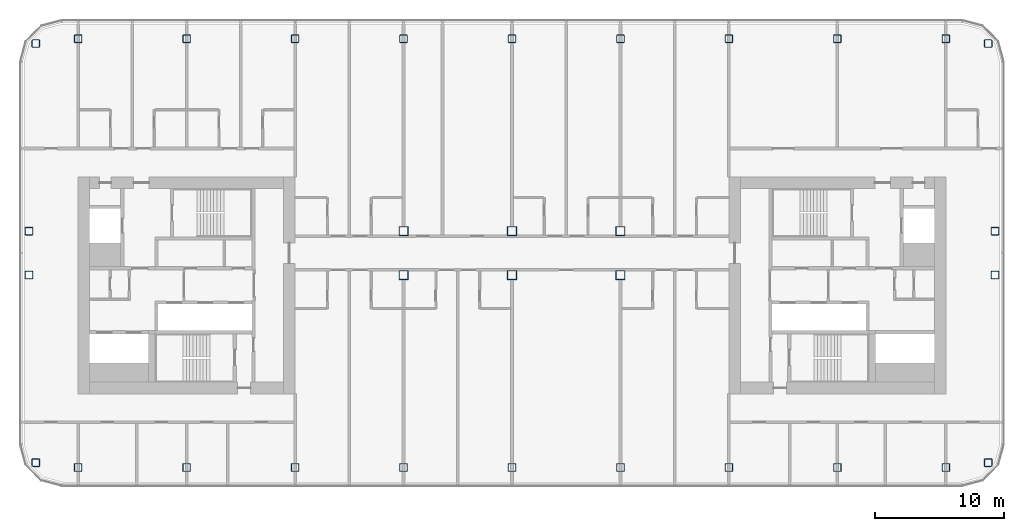
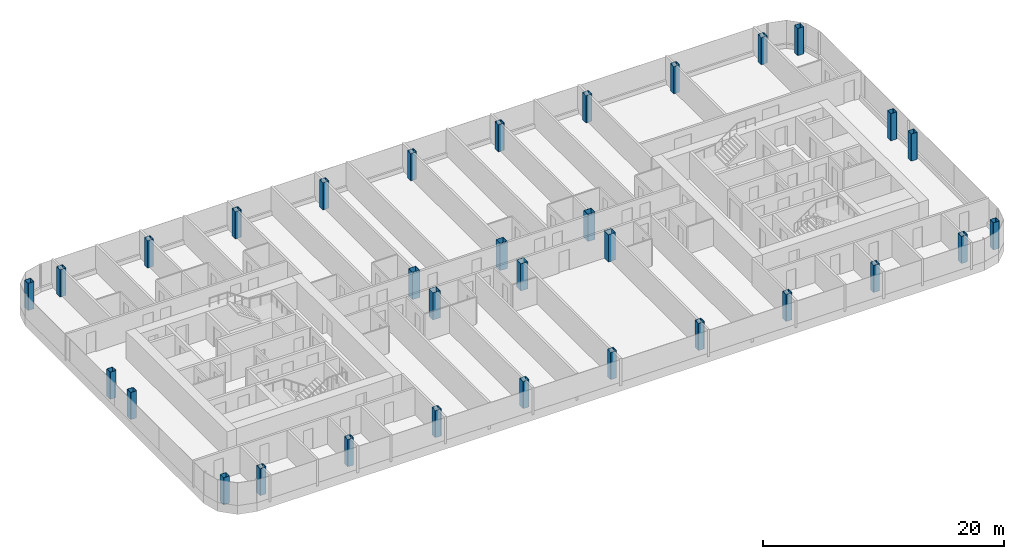
# One storey, part 1 of 26: 32 columns.
"""IFC4 building model written with IfcOpenShell, lengths in metres."""

import ifcopenshell
import ifcopenshell.guid

model = None  # the IFC model being written
_history = None  # IfcOwnerHistory: only IFC2X3 demands one
_inside = {}  # id of a spatial element -> (the spatial element, [elements in it])
_under = {}  # id of a project, library or spatial element -> (it, [spatial elements below it])
_declared = {}  # id of a project -> (the project, [libraries it declares])
_typed = {}  # id of a type object -> (the type object, [elements of that type])
_made_of = {}  # id of a material, layer set ... -> (it, [elements and type objects made of it])


def new_model(schema):
    """Start an empty IFC model of exactly this schema.

    Asked for "IFC4X3", IfcOpenShell would pick the latest addendum, in which some entities
    have other attributes; the version numbers below select the first issue.
    IFC2X3 requires an IfcOwnerHistory on every rooted entity: one is made here for all.
    """
    global model, _history
    if schema == "IFC4X3":
        model = ifcopenshell.file(schema_version=(4, 3, 0, 0))
    else:
        model = ifcopenshell.file(schema=schema)
    _inside.clear()
    _under.clear()
    _declared.clear()
    _typed.clear()
    _made_of.clear()
    _history = None
    if model.schema == "IFC2X3":
        org = make("IfcOrganization", Name="unknown")
        user = make(
            "IfcPersonAndOrganization",
            ThePerson=make("IfcPerson", FamilyName="unknown"),
            TheOrganization=org,
        )
        app = make(
            "IfcApplication",
            ApplicationDeveloper=org,
            Version="unknown",
            ApplicationFullName="unknown",
            ApplicationIdentifier="unknown",
        )
        _history = make(
            "IfcOwnerHistory",
            OwningUser=user,
            OwningApplication=app,
            ChangeAction="ADDED",
            CreationDate=0,
        )
    return model


def make(cls, **values):
    """One entity of the class cls with the attributes given. An attribute that is None is left unset."""
    return model.create_entity(
        cls, **{name: value for name, value in values.items() if value is not None}
    )


def rooted(cls, **values):
    """An entity with a GlobalId (a new one), such as an element, a storey or a relation."""
    return make(cls, GlobalId=ifcopenshell.guid.new(), OwnerHistory=_history, **values)


def si_unit(unit_type, name, prefix=None):
    """IfcSIUnit, for example si_unit("LENGTHUNIT", "METRE", prefix="MILLI")."""
    return make("IfcSIUnit", UnitType=unit_type, Prefix=prefix, Name=name)


def assignment(units):
    """IfcUnitAssignment: the units of a project."""
    return None if units is None else make("IfcUnitAssignment", Units=units)


def point(xyz):
    """IfcCartesianPoint."""
    return None if xyz is None else make("IfcCartesianPoint", Coordinates=xyz)


def direction(xyz):
    """IfcDirection."""
    return None if xyz is None else make("IfcDirection", DirectionRatios=xyz)


def frame(location, z_axis=None, x_axis=None):
    """IfcAxis2Placement3D, a coordinate frame: its origin and axes. An axis left out is left unset."""
    return make(
        "IfcAxis2Placement3D",
        Location=point(location),
        Axis=direction(z_axis),
        RefDirection=direction(x_axis),
    )


def frame_2d(location, x_axis=None):
    """IfcAxis2Placement2D, a coordinate frame in the plane: its origin and x axis."""
    return make(
        "IfcAxis2Placement2D", Location=point(location), RefDirection=direction(x_axis)
    )


def origin():
    """The frame at (0, 0, 0) with its axes left unset."""
    return frame((0.0, 0.0, 0.0))


def origin_2d():
    """The frame at (0, 0) in the plane with its x axis left unset."""
    return frame_2d((0.0, 0.0))


def place(relative_to, where):
    """IfcLocalPlacement: puts the frame where relative to a parent placement (None: the world)."""
    return make(
        "IfcLocalPlacement", PlacementRelTo=relative_to, RelativePlacement=where
    )


def context(
    kind, dimensions, precision=None, world=None, true_north=None, identifier=None
):
    """IfcGeometricRepresentationContext, for example the 3D "Model" context."""
    return make(
        "IfcGeometricRepresentationContext",
        ContextIdentifier=identifier,
        ContextType=kind,
        CoordinateSpaceDimension=dimensions,
        Precision=precision,
        WorldCoordinateSystem=world,
        TrueNorth=true_north,
    )


def subcontext(parent, identifier, kind, view, scale=None):
    """IfcGeometricRepresentationSubContext, for example "Body" below "Model"."""
    return make(
        "IfcGeometricRepresentationSubContext",
        ContextIdentifier=identifier,
        ContextType=kind,
        ParentContext=parent,
        TargetScale=scale,
        TargetView=view,
    )


def project(units=None, contexts=None):
    """IfcProject with its units and contexts."""
    return rooted(
        "IfcProject",
        Name="project",
        RepresentationContexts=contexts,
        UnitsInContext=assignment(units),
    )


def spatial(cls, under=None, at=None, **own):
    """A site, building, storey or space (cls), placed at a placement, below another one or the project."""
    s = rooted(cls, ObjectPlacement=at, **own)
    if under is not None:
        _under.setdefault(under.id(), (under, []))[1].append(s)
    return s


def profile(cls, at=None, kind="AREA", **sizes):
    """A parametric profile (cls). Its sizes go by their IFC names, for example OverallWidth=200.0."""
    return make(cls, ProfileType=kind, Position=at, **sizes)


def hollow_rectangle(**sizes):
    """IfcRectangleHollowProfileDef."""
    return profile("IfcRectangleHollowProfileDef", **sizes)


def extrude(swept, where, along, depth):
    """IfcExtrudedAreaSolid: the profile swept, set in the frame where, extruded along a direction by depth."""
    return make(
        "IfcExtrudedAreaSolid",
        SweptArea=swept,
        Position=where,
        ExtrudedDirection=direction(along),
        Depth=depth,
    )


def shape(context_of_items, identifier, shape_type, items):
    """IfcShapeRepresentation: the items that make up one representation, for example the "Body"."""
    return make(
        "IfcShapeRepresentation",
        ContextOfItems=context_of_items,
        RepresentationIdentifier=identifier,
        RepresentationType=shape_type,
        Items=items,
    )


def material(Name=None, Category=None):
    """IfcMaterial."""
    return make("IfcMaterial", Name=Name, Category=Category)


def material_profile(
    of_material, cross_section, Name=None, Category=None, Priority=None
):
    """IfcMaterialProfile: a cross section and its material."""
    return make(
        "IfcMaterialProfile",
        Name=Name,
        Material=of_material,
        Profile=cross_section,
        Priority=Priority,
        Category=Category,
    )


def profile_set(profiles, Name=None, composite=None):
    """IfcMaterialProfileSet."""
    return make(
        "IfcMaterialProfileSet",
        Name=Name,
        MaterialProfiles=profiles,
        CompositeProfile=composite,
    )


def made_of(thing, what):
    """Note that an element or type object is made of a material, layer set ...; save() writes the relation."""
    if what is not None:
        _made_of.setdefault(what.id(), (what, []))[1].append(thing)
    return thing


def type_object(cls, material=None, **own):
    """A type object (cls), such as IfcWallType, which elements share."""
    return made_of(rooted(cls, **own), material)


def element(
    cls,
    number,
    at=None,
    inside=None,
    cuts=None,
    type_object=None,
    material=None,
    context=None,
    identifier="Body",
    shape_type=None,
    held_by="IfcProductDefinitionShape",
    body=None,
    shapes=None,
    **own,
):
    """One element of the class cls, such as IfcWall. Its Tag is "e" and its number.

    at: its placement. inside: the storey or other place that contains it. cuts: it is an
    opening in that element (IfcRelVoidsElement). A single representation is given by context,
    identifier, shape_type and body (its items); several are given by shapes. held_by: the class
    of the entity that holds the representations. save() writes the other relations.
    """
    e = rooted(cls, Tag="e%d" % number, ObjectPlacement=at, **own)
    if body is not None:
        shapes = [shape(context, identifier, shape_type, body)]
    if shapes is not None:
        e.Representation = make(held_by, Representations=shapes)
    if inside is not None:
        _inside.setdefault(inside.id(), (inside, []))[1].append(e)
    if cuts is not None:
        rooted(
            "IfcRelVoidsElement", RelatingBuildingElement=cuts, RelatedOpeningElement=e
        )
    if type_object is not None:
        _typed.setdefault(type_object.id(), (type_object, []))[1].append(e)
    return made_of(e, material)


def aggregate(whole, parts):
    """IfcRelAggregates: a whole, such as a stair, and the parts it consists of."""
    return rooted("IfcRelAggregates", RelatingObject=whole, RelatedObjects=parts)


def save(model, path):
    """Write the relations noted so far, then the file.

    IfcRelAggregates (storeys below a building ...), IfcRelContainedInSpatialStructure (elements
    in a storey), IfcRelDefinesByType, IfcRelAssociatesMaterial and IfcRelDeclares: one each for
    every whole, place, type object, material and project.
    """
    for whole, parts in _under.values():
        aggregate(whole, parts)
    for where, things in _inside.values():
        rooted(
            "IfcRelContainedInSpatialStructure",
            RelatedElements=things,
            RelatingStructure=where,
        )
    for kind, things in _typed.values():
        rooted("IfcRelDefinesByType", RelatedObjects=things, RelatingType=kind)
    for what, things in _made_of.values():
        rooted("IfcRelAssociatesMaterial", RelatedObjects=things, RelatingMaterial=what)
    for by, libraries in _declared.values():
        rooted("IfcRelDeclares", RelatingContext=by, RelatedDefinitions=libraries)
    model.write(path)


model = new_model("IFC4")

# Units and contexts
model_context = context("Model", 3, precision=1e-05, world=origin(), true_north=direction((0.0, 1.0)))
body_context = subcontext(model_context, "Body", "Model", "MODEL_VIEW")
ifc_project = project(units=[si_unit("LENGTHUNIT", "METRE"), si_unit("AREAUNIT", "SQUARE_METRE"), si_unit("VOLUMEUNIT", "CUBIC_METRE"), si_unit("PLANEANGLEUNIT", "RADIAN"), si_unit("MASSUNIT", "GRAM", prefix="KILO")], contexts=[model_context])

# Site, building, storey
site_placement = place(None, origin())
site = spatial("IfcSite", under=ifc_project, at=site_placement, CompositionType="ELEMENT")
building_placement = place(site_placement, origin())
building = spatial("IfcBuilding", under=site, at=building_placement, Name="Hakoniwa Tower and Hamabe Station Hall", CompositionType="ELEMENT")
storey_placement = place(building_placement, frame((0.0, 0.0, 221.800048828125)))
storey = spatial("IfcBuildingStorey", under=building, at=storey_placement, Name="L63", CompositionType="ELEMENT", Elevation=221.800048828125)

# Columns
ifc_material_1 = material(Name="Steel BCP325", Category="steel")
ifc_material_profile_1 = material_profile(ifc_material_1, hollow_rectangle(XDim=0.60009765625, YDim=0.60009765625, WallThickness=0.02490234375, InnerFilletRadius=0.03759765625, OuterFilletRadius=0.0625, at=origin_2d()), Name="BCP-600x600x25")
ifc_profile_set_1 = profile_set([ifc_material_profile_1], Name="Steel BCP325")
column_type_1 = type_object("IfcColumnType", Name="COLUMN BCP-600x600x25", PredefinedType="COLUMN", material=ifc_profile_set_1)
for number, where, z_axis, x_axis, name in (
    (1, (-36.877685546875, -13.728515625, 0.0), (0.0, 0.0, 1.0), (1.0, 0.0, 0.0), "Column B4-EW-A4"),
    (2, (-37.39990234375, 0.800048828125, 0.0), (0.0, 0.0, 1.0), (1.0, 0.0, 0.0), "Column B4-EW-C4"),
    (3, (-37.39990234375, 4.199951171875, 0.0), (0.0, 0.0, 1.0), (1.0, 0.0, 0.0), "Column B4-EW-D4"),
    (4, (-36.877685546875, 18.728515625, 0.0), (0.0, 0.0, 1.0), (1.0, 0.0, 0.0), "Column B4-EW-F4"),
    (5, (-33.60009765625, -14.10009765625, 0.0), (0.0, 0.0, 1.0), (1.0, 0.0, 0.0), "Column B4-3-A4"),
    (6, (-33.60009765625, 19.10009765625, 0.0), (0.0, 0.0, 1.0), (1.0, 0.0, 0.0), "Column B4-3-F4"),
    (7, (-25.199951171875, -14.10009765625, 0.0), (0.0, 0.0, 1.0), (1.0, 0.0, 0.0), "Column B4-4-A4"),
    (8, (-25.199951171875, 19.10009765625, 0.0), (0.0, 0.0, 1.0), (1.0, 0.0, 0.0), "Column B4-4-F4"),
    (9, (-16.800048828125, -14.10009765625, 0.0), (0.0, 0.0, 1.0), (1.0, 0.0, 0.0), "Column B4-5-A4"),
    (10, (-16.800048828125, 19.10009765625, 0.0), (0.0, 0.0, 1.0), (1.0, 0.0, 0.0), "Column B4-5-F4"),
    (11, (-8.39990234375, -14.10009765625, 0.0), (0.0, 0.0, 1.0), (1.0, 0.0, 0.0), "Column B4-6-A4"),
    (12, (-8.39990234375, 19.10009765625, 0.0), (0.0, 0.0, 1.0), (1.0, 0.0, 0.0), "Column B4-6-F4"),
    (13, (0.0, -14.10009765625, 0.0), (0.0, 0.0, 1.0), (1.0, 0.0, 0.0), "Column B4-7-A4"),
    (14, (0.0, 19.10009765625, 0.0), (0.0, 0.0, 1.0), (1.0, 0.0, 0.0), "Column B4-7-F4"),
    (15, (8.39990234375, -14.10009765625, 0.0), (0.0, 0.0, 1.0), (1.0, 0.0, 0.0), "Column B4-8-A4"),
    (16, (8.39990234375, 19.10009765625, 0.0), (0.0, 0.0, 1.0), (1.0, 0.0, 0.0), "Column B4-8-F4"),
    (17, (16.800048828125, -14.10009765625, 0.0), (0.0, 0.0, 1.0), (1.0, 0.0, 0.0), "Column B4-9-A4"),
    (18, (16.800048828125, 19.10009765625, 0.0), (0.0, 0.0, 1.0), (1.0, 0.0, 0.0), "Column B4-9-F4"),
    (19, (25.199951171875, -14.10009765625, 0.0), (0.0, 0.0, 1.0), (1.0, 0.0, 0.0), "Column B4-10-A4"),
    (20, (25.199951171875, 19.10009765625, 0.0), (0.0, 0.0, 1.0), (1.0, 0.0, 0.0), "Column B4-10-F4"),
    (21, (33.60009765625, -14.10009765625, 0.0), (0.0, 0.0, 1.0), (1.0, 0.0, 0.0), "Column B4-11-A4"),
    (22, (33.60009765625, 19.10009765625, 0.0), (0.0, 0.0, 1.0), (1.0, 0.0, 0.0), "Column B4-11-F4"),
    (23, (36.877685546875, -13.728515625, 0.0), (0.0, 0.0, 1.0), (1.0, 0.0, 0.0), "Column B4-EE-A4"),
    (24, (37.39990234375, 0.800048828125, 0.0), (0.0, 0.0, 1.0), (1.0, 0.0, 0.0), "Column B4-EE-C4"),
    (25, (37.39990234375, 4.199951171875, 0.0), (0.0, 0.0, 1.0), (1.0, 0.0, 0.0), "Column B4-EE-D4"),
    (26, (36.877685546875, 18.728515625, 0.0), (0.0, 0.0, 1.0), (1.0, 0.0, 0.0), "Column B4-EE-F4"),
):
    element("IfcColumn", number, at=place(storey_placement, frame(where, z_axis=z_axis, x_axis=x_axis)), inside=storey, type_object=column_type_1, Name=name, PredefinedType="COLUMN", context=body_context, shape_type="SweptSolid", body=[
        extrude(hollow_rectangle(XDim=0.60009765625, YDim=0.60009765625, WallThickness=0.02490234375, InnerFilletRadius=0.03759765625, OuterFilletRadius=0.0625, at=origin_2d()), origin(), (0.0, 0.0, 1.0), 2.75),
    ])
ifc_material_2 = material(Name="Steel SN490C", Category="steel")
ifc_material_profile_2 = material_profile(ifc_material_2, hollow_rectangle(XDim=0.699951171875, YDim=0.699951171875, WallThickness=0.028076171875, at=origin_2d()), Name="BX-700x700x28")
ifc_profile_set_2 = profile_set([ifc_material_profile_2], Name="Steel SN490C")
column_type_2 = type_object("IfcColumnType", Name="COLUMN BX-700x700x28", PredefinedType="COLUMN", material=ifc_profile_set_2)
for number, where, z_axis, x_axis, name in (
    (27, (-8.39990234375, 0.800048828125, 0.0), (0.0, 0.0, 1.0), (1.0, 0.0, 0.0), "Column B4-6-C4"),
    (28, (-8.39990234375, 4.199951171875, 0.0), (0.0, 0.0, 1.0), (1.0, 0.0, 0.0), "Column B4-6-D4"),
    (29, (0.0, 0.800048828125, 0.0), (0.0, 0.0, 1.0), (1.0, 0.0, 0.0), "Column B4-7-C4"),
    (30, (0.0, 4.199951171875, 0.0), (0.0, 0.0, 1.0), (1.0, 0.0, 0.0), "Column B4-7-D4"),
    (31, (8.39990234375, 0.800048828125, 0.0), (0.0, 0.0, 1.0), (1.0, 0.0, 0.0), "Column B4-8-C4"),
    (32, (8.39990234375, 4.199951171875, 0.0), (0.0, 0.0, 1.0), (1.0, 0.0, 0.0), "Column B4-8-D4"),
):
    element("IfcColumn", number, at=place(storey_placement, frame(where, z_axis=z_axis, x_axis=x_axis)), inside=storey, type_object=column_type_2, Name=name, PredefinedType="COLUMN", context=body_context, shape_type="SweptSolid", body=[
        extrude(hollow_rectangle(XDim=0.699951171875, YDim=0.699951171875, WallThickness=0.028076171875, at=origin_2d()), origin(), (0.0, 0.0, 1.0), 2.75),
    ])

save(model, "model.ifc")
